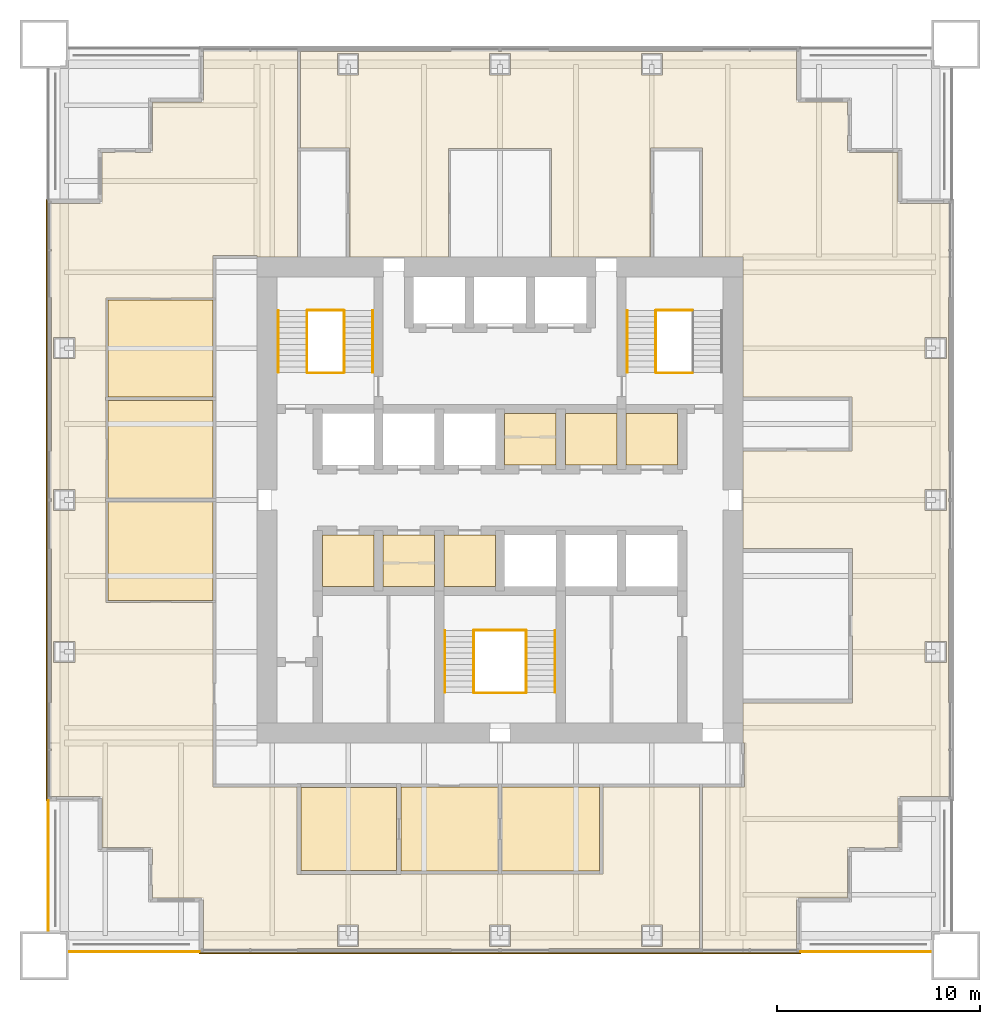
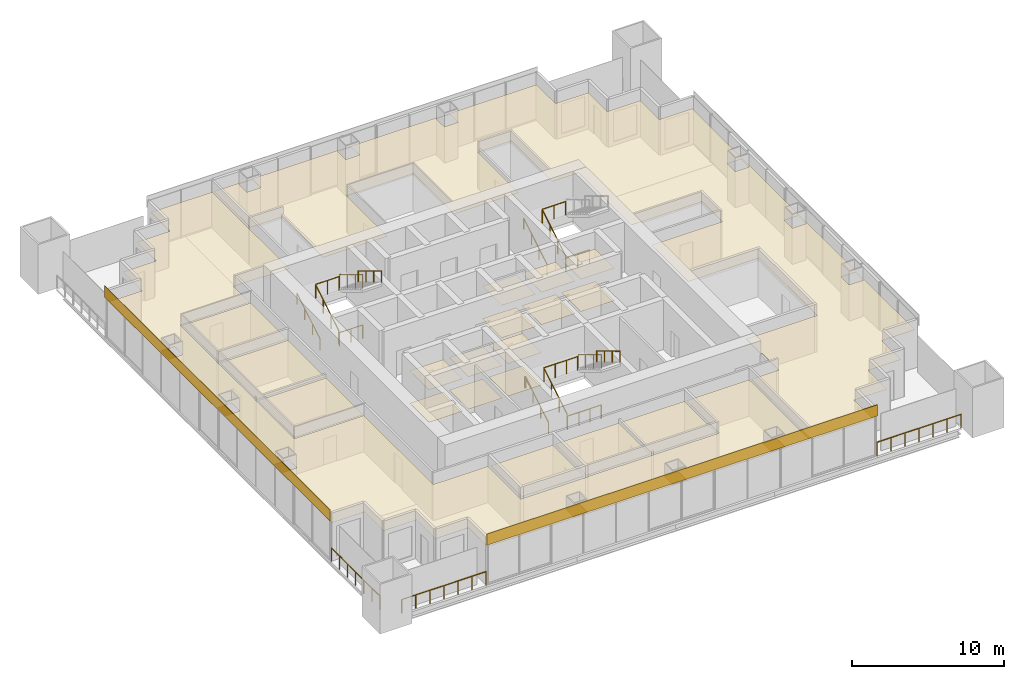
# One storey, part 12 of 13: 22 coverings, 19 railings.
"""IFC4 building model written with IfcOpenShell, lengths in metres."""

from ifc_helpers import new_model, si_unit, direction, frame, origin, origin_2d, place, context, subcontext, project, spatial, polyline, rectangle, circle, outline, extrude, material, layer, layer_set, type_object, element, save


model = new_model("IFC4")

# Units and contexts
model_context = context("Model", 3, precision=1e-05, world=origin(), true_north=direction((0.0, 1.0)))
body_context = subcontext(model_context, "Body", "Model", "MODEL_VIEW")
ifc_project = project(units=[si_unit("LENGTHUNIT", "METRE"), si_unit("AREAUNIT", "SQUARE_METRE"), si_unit("VOLUMEUNIT", "CUBIC_METRE"), si_unit("PLANEANGLEUNIT", "RADIAN"), si_unit("MASSUNIT", "GRAM", prefix="KILO")], contexts=[model_context])

# Site, building, storey
site_placement = place(None, origin())
site = spatial("IfcSite", under=ifc_project, at=site_placement, CompositionType="ELEMENT")
building_placement = place(site_placement, origin())
building = spatial("IfcBuilding", under=site, at=building_placement, Name="Tarangal Relay Tower", CompositionType="ELEMENT")
storey_placement = place(building_placement, frame((0.0, 0.0, 237.89990234375)))
storey = spatial("IfcBuildingStorey", under=building, at=storey_placement, Name="L51", CompositionType="ELEMENT", Elevation=237.89990234375)

# Coverings
ifc_material_1 = material(Name="Anti-static vinyl flooring", Category="plastic")
ifc_layer_1 = layer(ifc_material_1, 0.010009765625)
ifc_layer_set_1 = layer_set([ifc_layer_1], Name="Anti-static vinyl floor")
covering_type_1 = type_object("IfcCoveringType", Name="Anti-static vinyl floor", PredefinedType="FLOORING", material=ifc_layer_set_1)
covering_1_placement = place(storey_placement, origin())
element("IfcCovering", 1, at=covering_1_placement, inside=storey, type_object=covering_type_1, Name="Floor finish FL1 L51-T1", PredefinedType="FLOORING", context=body_context, shape_type="SweptSolid", body=[
    extrude(outline(polyline([(0.22509765625, 1.72509765625), (2.77490234375, 1.72509765625), (2.77490234375, 4.27490234375), (0.22509765625, 4.27490234375), (0.22509765625, 1.72509765625)])), origin(), (0.0, 0.0, 1.0), 0.010009765625),
])
covering_2_placement = place(storey_placement, origin())
element("IfcCovering", 2, at=covering_2_placement, inside=storey, type_object=covering_type_1, Name="Floor finish FL1 L51-T2", PredefinedType="FLOORING", context=body_context, shape_type="SweptSolid", body=[
    extrude(outline(polyline([(3.22509765625, 1.72509765625), (5.77490234375, 1.72509765625), (5.77490234375, 4.27490234375), (3.22509765625, 4.27490234375), (3.22509765625, 1.72509765625)])), origin(), (0.0, 0.0, 1.0), 0.010009765625),
])
covering_3_placement = place(storey_placement, origin())
element("IfcCovering", 3, at=covering_3_placement, inside=storey, type_object=covering_type_1, Name="Floor finish FL1 L51-T3", PredefinedType="FLOORING", context=body_context, shape_type="SweptSolid", body=[
    extrude(outline(polyline([(6.22509765625, 1.72509765625), (8.77490234375, 1.72509765625), (8.77490234375, 4.27490234375), (6.22509765625, 4.27490234375), (6.22509765625, 1.72509765625)])), origin(), (0.0, 0.0, 1.0), 0.010009765625),
])
covering_4_placement = place(storey_placement, origin())
element("IfcCovering", 4, at=covering_4_placement, inside=storey, type_object=covering_type_1, Name="Floor finish FL1 L51-S1", PredefinedType="FLOORING", context=body_context, shape_type="SweptSolid", body=[
    extrude(outline(polyline([(-8.77490234375, -4.27490234375), (-6.22509765625, -4.27490234375), (-6.22509765625, -1.72509765625), (-8.77490234375, -1.72509765625), (-8.77490234375, -4.27490234375)])), origin(), (0.0, 0.0, 1.0), 0.010009765625),
])
covering_5_placement = place(storey_placement, origin())
element("IfcCovering", 5, at=covering_5_placement, inside=storey, type_object=covering_type_1, Name="Floor finish FL1 L51-S2", PredefinedType="FLOORING", context=body_context, shape_type="SweptSolid", body=[
    extrude(outline(polyline([(-5.77490234375, -4.27490234375), (-3.22509765625, -4.27490234375), (-3.22509765625, -1.72509765625), (-5.77490234375, -1.72509765625), (-5.77490234375, -4.27490234375)])), origin(), (0.0, 0.0, 1.0), 0.010009765625),
])
covering_6_placement = place(storey_placement, origin())
element("IfcCovering", 6, at=covering_6_placement, inside=storey, type_object=covering_type_1, Name="Floor finish FL1 L51-S3", PredefinedType="FLOORING", context=body_context, shape_type="SweptSolid", body=[
    extrude(outline(polyline([(-2.77490234375, -4.27490234375), (-0.22509765625, -4.27490234375), (-0.22509765625, -1.72509765625), (-2.77490234375, -1.72509765625), (-2.77490234375, -4.27490234375)])), origin(), (0.0, 0.0, 1.0), 0.010009765625),
])
ifc_material_2 = material(Name="Black anodised aluminium cladding", Category="aluminium")
ifc_layer_2 = layer(ifc_material_2, 0.050048828125)
ifc_layer_set_2 = layer_set([ifc_layer_2], Name="Black metal spandrel band")
covering_type_2 = type_object("IfcCoveringType", Name="Black metal spandrel band", PredefinedType="CLADDING", material=ifc_layer_set_2)
for number, where, z_axis, x_axis, name in (
    (7, (0.0, -22.375, 3.250244140625), (0.0, 0.0, 1.0), (-1.0, 0.0, 0.0), "Spandrel band SB1 S L51"),
    (8, (-22.375, 0.0, 3.250244140625), (0.0, 0.0, 1.0), (0.0, 1.0, 0.0), "Spandrel band SB1 W L51"),
):
    element("IfcCovering", number, at=place(storey_placement, frame(where, z_axis=z_axis, x_axis=x_axis)), inside=storey, type_object=covering_type_2, Name=name, PredefinedType="CLADDING", context=body_context, shape_type="SweptSolid", body=[
        extrude(rectangle(XDim=29.699951171875, YDim=0.050048828125, at=origin_2d()), origin(), (0.0, 0.0, 1.0), 0.89990234375),
    ])

# Railings
ifc_material_3 = material(Name="Steel guard, black finish", Category="steel")
railing_type_1 = type_object("IfcRailingType", Name="Stair guard 1100", PredefinedType="GUARDRAIL", material=ifc_material_3)
railing_1_placement = place(storey_placement, frame((-9.530029296875, 6.300048828125, 0.166748046875)))
element("IfcRailing", 9, at=railing_1_placement, inside=storey, type_object=railing_type_1, Name="Stair ST-A guard GR1 L51 flight 1", PredefinedType="GUARDRAIL", context=body_context, shape_type="SweptSolid", body=[
    extrude(circle(Radius=0.02392578125, at=origin_2d()), frame((0.0, 0.0, 1.076171875), z_axis=(0.0, 0.85685617095, 0.515555527858), x_axis=(-1.0, 0.0, 0.0)), (0.0, 0.0, 1.0), 3.555908203125),
    extrude(circle(Radius=0.02099609375, at=origin_2d()), origin(), (0.0, 0.0, 1.0), 1.052001953125),
    extrude(circle(Radius=0.02099609375, at=origin_2d()), frame((0.0, 1.015625, 0.611083984375)), (0.0, 0.0, 1.0), 1.052001953125),
    extrude(circle(Radius=0.02099609375, at=origin_2d()), frame((0.0, 2.03125, 1.22216796875)), (0.0, 0.0, 1.0), 1.052001953125),
    extrude(circle(Radius=0.02099609375, at=origin_2d()), frame((0.0, 3.046875, 1.833251953125)), (0.0, 0.0, 1.0), 1.052001953125),
])
railing_2_placement = place(storey_placement, frame((-7.695068359375, 9.346923828125, 2.166748046875)))
element("IfcRailing", 10, at=railing_2_placement, inside=storey, type_object=railing_type_1, Name="Stair ST-A guard GR1 L51 flight 2", PredefinedType="GUARDRAIL", context=body_context, shape_type="SweptSolid", body=[
    extrude(circle(Radius=0.02392578125, at=origin_2d()), frame((0.0, 0.0, 1.076171875), z_axis=(0.0, -0.85685617095, 0.515555527858), x_axis=(1.0, 0.0, 0.0)), (0.0, 0.0, 1.0), 3.555908203125),
    extrude(circle(Radius=0.02099609375, at=origin_2d()), origin(), (0.0, 0.0, 1.0), 1.052001953125),
    extrude(circle(Radius=0.02099609375, at=origin_2d()), frame((0.0, -1.015625, 0.611083984375)), (0.0, 0.0, 1.0), 1.052001953125),
    extrude(circle(Radius=0.02099609375, at=origin_2d()), frame((0.0, -2.03125, 1.22216796875)), (0.0, 0.0, 1.0), 1.052001953125),
    extrude(circle(Radius=0.02099609375, at=origin_2d()), frame((0.0, -3.046875, 1.833251953125)), (0.0, 0.0, 1.0), 1.052001953125),
])
for number, where, name in (
    (11, (-9.5, 6.27001953125, 0.0), "Stair ST-A landing guard GR1 L51"),
    (12, (-9.5, 9.376953125, 2.0), "Stair ST-A landing guard GR1 L51"),
):
    element("IfcRailing", number, at=place(storey_placement, frame(where)), inside=storey, type_object=railing_type_1, Name=name, PredefinedType="GUARDRAIL", context=body_context, shape_type="SweptSolid", body=[
        extrude(circle(Radius=0.02392578125, at=origin_2d()), frame((0.0, 0.0, 1.076171875), z_axis=(1.0, 0.0, 0.0), x_axis=(0.0, 1.0, 0.0)), (0.0, 0.0, 1.0), 1.77490234375),
        extrude(circle(Radius=0.02099609375, at=origin_2d()), origin(), (0.0, 0.0, 1.0), 1.052001953125),
        extrude(circle(Radius=0.02099609375, at=origin_2d()), frame((0.887451171875, 0.0, 0.0)), (0.0, 0.0, 1.0), 1.052001953125),
        extrude(circle(Radius=0.02099609375, at=origin_2d()), frame((1.77490234375, 0.0, 0.0)), (0.0, 0.0, 1.0), 1.052001953125),
    ])
railing_3_placement = place(storey_placement, frame((7.695068359375, 6.300048828125, 0.166748046875)))
element("IfcRailing", 13, at=railing_3_placement, inside=storey, type_object=railing_type_1, Name="Stair ST-B guard GR1 L51 flight 1", PredefinedType="GUARDRAIL", context=body_context, shape_type="SweptSolid", body=[
    extrude(circle(Radius=0.02392578125, at=origin_2d()), frame((0.0, 0.0, 1.076171875), z_axis=(0.0, 0.85685617095, 0.515555527858), x_axis=(-1.0, 0.0, 0.0)), (0.0, 0.0, 1.0), 3.555908203125),
    extrude(circle(Radius=0.02099609375, at=origin_2d()), origin(), (0.0, 0.0, 1.0), 1.052001953125),
    extrude(circle(Radius=0.02099609375, at=origin_2d()), frame((0.0, 1.015625, 0.611083984375)), (0.0, 0.0, 1.0), 1.052001953125),
    extrude(circle(Radius=0.02099609375, at=origin_2d()), frame((0.0, 2.03125, 1.22216796875)), (0.0, 0.0, 1.0), 1.052001953125),
    extrude(circle(Radius=0.02099609375, at=origin_2d()), frame((0.0, 3.046875, 1.833251953125)), (0.0, 0.0, 1.0), 1.052001953125),
])
for number, where, name in (
    (14, (7.72509765625, 6.27001953125, 0.0), "Stair ST-B landing guard GR1 L51"),
    (15, (7.72509765625, 9.376953125, 2.0), "Stair ST-B landing guard GR1 L51"),
):
    element("IfcRailing", number, at=place(storey_placement, frame(where)), inside=storey, type_object=railing_type_1, Name=name, PredefinedType="GUARDRAIL", context=body_context, shape_type="SweptSolid", body=[
        extrude(circle(Radius=0.02392578125, at=origin_2d()), frame((0.0, 0.0, 1.076171875), z_axis=(1.0, 0.0, 0.0), x_axis=(0.0, 1.0, 0.0)), (0.0, 0.0, 1.0), 1.77490234375),
        extrude(circle(Radius=0.02099609375, at=origin_2d()), origin(), (0.0, 0.0, 1.0), 1.052001953125),
        extrude(circle(Radius=0.02099609375, at=origin_2d()), frame((0.887451171875, 0.0, 0.0)), (0.0, 0.0, 1.0), 1.052001953125),
        extrude(circle(Radius=0.02099609375, at=origin_2d()), frame((1.77490234375, 0.0, 0.0)), (0.0, 0.0, 1.0), 1.052001953125),
    ])
railing_4_placement = place(storey_placement, frame((-1.304931640625, -9.5, 0.166748046875)))
element("IfcRailing", 16, at=railing_4_placement, inside=storey, type_object=railing_type_1, Name="Stair ST-C guard GR1 L51 flight 1", PredefinedType="GUARDRAIL", context=body_context, shape_type="SweptSolid", body=[
    extrude(circle(Radius=0.02392578125, at=origin_2d()), frame((0.0, 0.0, 1.076171875), z_axis=(0.0, 0.856874418557, 0.515525199018), x_axis=(-1.0, 0.0, 0.0)), (0.0, 0.0, 1.0), 3.55615234375),
    extrude(circle(Radius=0.02099609375, at=origin_2d()), origin(), (0.0, 0.0, 1.0), 1.052001953125),
    extrude(circle(Radius=0.02099609375, at=origin_2d()), frame((0.0, 1.015625, 0.611083984375)), (0.0, 0.0, 1.0), 1.052001953125),
    extrude(circle(Radius=0.02099609375, at=origin_2d()), frame((0.0, 2.031494140625, 1.22216796875)), (0.0, 0.0, 1.0), 1.052001953125),
    extrude(circle(Radius=0.02099609375, at=origin_2d()), frame((0.0, 3.047119140625, 1.833251953125)), (0.0, 0.0, 1.0), 1.052001953125),
])
railing_5_placement = place(storey_placement, frame((1.304931640625, -6.452880859375, 2.166748046875)))
element("IfcRailing", 17, at=railing_5_placement, inside=storey, type_object=railing_type_1, Name="Stair ST-C guard GR1 L51 flight 2", PredefinedType="GUARDRAIL", context=body_context, shape_type="SweptSolid", body=[
    extrude(circle(Radius=0.02392578125, at=origin_2d()), frame((0.0, 0.0, 1.076171875), z_axis=(0.0, -0.856874418557, 0.515525199018), x_axis=(1.0, 0.0, 0.0)), (0.0, 0.0, 1.0), 3.55615234375),
    extrude(circle(Radius=0.02099609375, at=origin_2d()), origin(), (0.0, 0.0, 1.0), 1.052001953125),
    extrude(circle(Radius=0.02099609375, at=origin_2d()), frame((0.0, -1.015625, 0.611083984375)), (0.0, 0.0, 1.0), 1.052001953125),
    extrude(circle(Radius=0.02099609375, at=origin_2d()), frame((0.0, -2.031494140625, 1.22216796875)), (0.0, 0.0, 1.0), 1.052001953125),
    extrude(circle(Radius=0.02099609375, at=origin_2d()), frame((0.0, -3.047119140625, 1.833251953125)), (0.0, 0.0, 1.0), 1.052001953125),
])
for number, where, name in (
    (18, (-1.27490234375, -9.530029296875, 0.0), "Stair ST-C landing guard GR1 L51"),
    (19, (-1.27490234375, -6.423095703125, 2.0), "Stair ST-C landing guard GR1 L51"),
):
    element("IfcRailing", number, at=place(storey_placement, frame(where)), inside=storey, type_object=railing_type_1, Name=name, PredefinedType="GUARDRAIL", context=body_context, shape_type="SweptSolid", body=[
        extrude(circle(Radius=0.02392578125, at=origin_2d()), frame((0.0, 0.0, 1.076171875), z_axis=(1.0, 0.0, 0.0), x_axis=(0.0, 1.0, 0.0)), (0.0, 0.0, 1.0), 2.5498046875),
        extrude(circle(Radius=0.02099609375, at=origin_2d()), origin(), (0.0, 0.0, 1.0), 1.052001953125),
        extrude(circle(Radius=0.02099609375, at=origin_2d()), frame((0.849853515625, 0.0, 0.0)), (0.0, 0.0, 1.0), 1.052001953125),
        extrude(circle(Radius=0.02099609375, at=origin_2d()), frame((1.699951171875, 0.0, 0.0)), (0.0, 0.0, 1.0), 1.052001953125),
        extrude(circle(Radius=0.02099609375, at=origin_2d()), frame((2.5498046875, 0.0, 0.0)), (0.0, 0.0, 1.0), 1.052001953125),
    ])
ifc_material_4 = material(Name="Steel handrail, black finish", Category="steel")
railing_type_2 = type_object("IfcRailingType", Name="Stair handrail 900", PredefinedType="HANDRAIL", material=ifc_material_4)
railing_6_placement = place(storey_placement, frame((-10.93994140625, 6.300048828125, 0.166748046875)))
element("IfcRailing", 20, at=railing_6_placement, inside=storey, type_object=railing_type_2, Name="Stair ST-A handrail HR1 L51 flight 1", PredefinedType="HANDRAIL", context=body_context, shape_type="SweptSolid", body=[
    extrude(circle(Radius=0.02392578125, at=origin_2d()), frame((0.0, 0.0, 0.8759765625), z_axis=(0.0, 0.85685617095, 0.515555527858), x_axis=(-1.0, 0.0, 0.0)), (0.0, 0.0, 1.0), 3.555908203125),
    extrude(circle(Radius=0.02099609375, at=origin_2d()), origin(), (0.0, 0.0, 1.0), 0.851806640625),
    extrude(circle(Radius=0.02099609375, at=origin_2d()), frame((0.0, 1.015625, 0.611083984375)), (0.0, 0.0, 1.0), 0.851806640625),
    extrude(circle(Radius=0.02099609375, at=origin_2d()), frame((0.0, 2.03125, 1.22216796875)), (0.0, 0.0, 1.0), 0.851806640625),
    extrude(circle(Radius=0.02099609375, at=origin_2d()), frame((0.0, 3.046875, 1.833251953125)), (0.0, 0.0, 1.0), 0.851806640625),
])
railing_7_placement = place(storey_placement, frame((-6.284912109375, 9.346923828125, 2.166748046875)))
element("IfcRailing", 21, at=railing_7_placement, inside=storey, type_object=railing_type_2, Name="Stair ST-A handrail HR1 L51 flight 2", PredefinedType="HANDRAIL", context=body_context, shape_type="SweptSolid", body=[
    extrude(circle(Radius=0.02392578125, at=origin_2d()), frame((0.0, 0.0, 0.8759765625), z_axis=(0.0, -0.85685617095, 0.515555527858), x_axis=(1.0, 0.0, 0.0)), (0.0, 0.0, 1.0), 3.555908203125),
    extrude(circle(Radius=0.02099609375, at=origin_2d()), origin(), (0.0, 0.0, 1.0), 0.851806640625),
    extrude(circle(Radius=0.02099609375, at=origin_2d()), frame((0.0, -1.015625, 0.611083984375)), (0.0, 0.0, 1.0), 0.851806640625),
    extrude(circle(Radius=0.02099609375, at=origin_2d()), frame((0.0, -2.03125, 1.22216796875)), (0.0, 0.0, 1.0), 0.851806640625),
    extrude(circle(Radius=0.02099609375, at=origin_2d()), frame((0.0, -3.046875, 1.833251953125)), (0.0, 0.0, 1.0), 0.851806640625),
])
railing_8_placement = place(storey_placement, frame((6.284912109375, 6.300048828125, 0.166748046875)))
element("IfcRailing", 22, at=railing_8_placement, inside=storey, type_object=railing_type_2, Name="Stair ST-B handrail HR1 L51 flight 1", PredefinedType="HANDRAIL", context=body_context, shape_type="SweptSolid", body=[
    extrude(circle(Radius=0.02392578125, at=origin_2d()), frame((0.0, 0.0, 0.8759765625), z_axis=(0.0, 0.85685617095, 0.515555527858), x_axis=(-1.0, 0.0, 0.0)), (0.0, 0.0, 1.0), 3.555908203125),
    extrude(circle(Radius=0.02099609375, at=origin_2d()), origin(), (0.0, 0.0, 1.0), 0.851806640625),
    extrude(circle(Radius=0.02099609375, at=origin_2d()), frame((0.0, 1.015625, 0.611083984375)), (0.0, 0.0, 1.0), 0.851806640625),
    extrude(circle(Radius=0.02099609375, at=origin_2d()), frame((0.0, 2.03125, 1.22216796875)), (0.0, 0.0, 1.0), 0.851806640625),
    extrude(circle(Radius=0.02099609375, at=origin_2d()), frame((0.0, 3.046875, 1.833251953125)), (0.0, 0.0, 1.0), 0.851806640625),
])
railing_9_placement = place(storey_placement, frame((-2.715087890625, -9.5, 0.166748046875)))
element("IfcRailing", 23, at=railing_9_placement, inside=storey, type_object=railing_type_2, Name="Stair ST-C handrail HR1 L51 flight 1", PredefinedType="HANDRAIL", context=body_context, shape_type="SweptSolid", body=[
    extrude(circle(Radius=0.02392578125, at=origin_2d()), frame((0.0, 0.0, 0.8759765625), z_axis=(0.0, 0.856874418557, 0.515525199018), x_axis=(-1.0, 0.0, 0.0)), (0.0, 0.0, 1.0), 3.55615234375),
    extrude(circle(Radius=0.02099609375, at=origin_2d()), origin(), (0.0, 0.0, 1.0), 0.851806640625),
    extrude(circle(Radius=0.02099609375, at=origin_2d()), frame((0.0, 1.015625, 0.611083984375)), (0.0, 0.0, 1.0), 0.851806640625),
    extrude(circle(Radius=0.02099609375, at=origin_2d()), frame((0.0, 2.031494140625, 1.22216796875)), (0.0, 0.0, 1.0), 0.851806640625),
    extrude(circle(Radius=0.02099609375, at=origin_2d()), frame((0.0, 3.047119140625, 1.833251953125)), (0.0, 0.0, 1.0), 0.851806640625),
])
railing_10_placement = place(storey_placement, frame((2.715087890625, -6.452880859375, 2.166748046875)))
element("IfcRailing", 24, at=railing_10_placement, inside=storey, type_object=railing_type_2, Name="Stair ST-C handrail HR1 L51 flight 2", PredefinedType="HANDRAIL", context=body_context, shape_type="SweptSolid", body=[
    extrude(circle(Radius=0.02392578125, at=origin_2d()), frame((0.0, 0.0, 0.8759765625), z_axis=(0.0, -0.856874418557, 0.515525199018), x_axis=(1.0, 0.0, 0.0)), (0.0, 0.0, 1.0), 3.55615234375),
    extrude(circle(Radius=0.02099609375, at=origin_2d()), origin(), (0.0, 0.0, 1.0), 0.851806640625),
    extrude(circle(Radius=0.02099609375, at=origin_2d()), frame((0.0, -1.015625, 0.611083984375)), (0.0, 0.0, 1.0), 0.851806640625),
    extrude(circle(Radius=0.02099609375, at=origin_2d()), frame((0.0, -2.031494140625, 1.22216796875)), (0.0, 0.0, 1.0), 0.851806640625),
    extrude(circle(Radius=0.02099609375, at=origin_2d()), frame((0.0, -3.047119140625, 1.833251953125)), (0.0, 0.0, 1.0), 0.851806640625),
])

# Coverings
ifc_material_5 = material(Name="Mineral fibre ceiling tiles", Category="gypsum")
ifc_layer_3 = layer(ifc_material_5, 0.02001953125)
ifc_layer_set_3 = layer_set([ifc_layer_3], Name="Suspended ceiling")
covering_type_3 = type_object("IfcCoveringType", Name="Suspended ceiling", PredefinedType="CEILING", material=ifc_layer_set_3)
covering_7_placement = place(storey_placement, frame((0.0, 0.0, 2.60009765625)))
element("IfcCovering", 25, at=covering_7_placement, inside=storey, type_object=covering_type_3, Name="Suspended ceiling CL1 L51-T1", PredefinedType="CEILING", context=body_context, shape_type="SweptSolid", body=[
    extrude(outline(polyline([(0.22509765625, 1.72509765625), (2.77490234375, 1.72509765625), (2.77490234375, 4.27490234375), (0.22509765625, 4.27490234375), (0.22509765625, 1.72509765625)])), origin(), (0.0, 0.0, 1.0), 0.02001953125),
])
covering_8_placement = place(storey_placement, frame((0.0, 0.0, 2.60009765625)))
element("IfcCovering", 26, at=covering_8_placement, inside=storey, type_object=covering_type_3, Name="Suspended ceiling CL1 L51-T2", PredefinedType="CEILING", context=body_context, shape_type="SweptSolid", body=[
    extrude(outline(polyline([(3.22509765625, 1.72509765625), (5.77490234375, 1.72509765625), (5.77490234375, 4.27490234375), (3.22509765625, 4.27490234375), (3.22509765625, 1.72509765625)])), origin(), (0.0, 0.0, 1.0), 0.02001953125),
])
covering_9_placement = place(storey_placement, frame((0.0, 0.0, 2.60009765625)))
element("IfcCovering", 27, at=covering_9_placement, inside=storey, type_object=covering_type_3, Name="Suspended ceiling CL1 L51-T3", PredefinedType="CEILING", context=body_context, shape_type="SweptSolid", body=[
    extrude(outline(polyline([(6.22509765625, 1.72509765625), (8.77490234375, 1.72509765625), (8.77490234375, 4.27490234375), (6.22509765625, 4.27490234375), (6.22509765625, 1.72509765625)])), origin(), (0.0, 0.0, 1.0), 0.02001953125),
])
covering_10_placement = place(storey_placement, frame((0.0, 0.0, 2.60009765625)))
element("IfcCovering", 28, at=covering_10_placement, inside=storey, type_object=covering_type_3, Name="Suspended ceiling CL1 L51-S1", PredefinedType="CEILING", context=body_context, shape_type="SweptSolid", body=[
    extrude(outline(polyline([(-8.77490234375, -4.27490234375), (-6.22509765625, -4.27490234375), (-6.22509765625, -1.72509765625), (-8.77490234375, -1.72509765625), (-8.77490234375, -4.27490234375)])), origin(), (0.0, 0.0, 1.0), 0.02001953125),
])
covering_11_placement = place(storey_placement, frame((0.0, 0.0, 2.60009765625)))
element("IfcCovering", 29, at=covering_11_placement, inside=storey, type_object=covering_type_3, Name="Suspended ceiling CL1 L51-S2", PredefinedType="CEILING", context=body_context, shape_type="SweptSolid", body=[
    extrude(outline(polyline([(-5.77490234375, -4.27490234375), (-3.22509765625, -4.27490234375), (-3.22509765625, -1.72509765625), (-5.77490234375, -1.72509765625), (-5.77490234375, -4.27490234375)])), origin(), (0.0, 0.0, 1.0), 0.02001953125),
])
covering_12_placement = place(storey_placement, frame((0.0, 0.0, 2.60009765625)))
element("IfcCovering", 30, at=covering_12_placement, inside=storey, type_object=covering_type_3, Name="Suspended ceiling CL1 L51-S3", PredefinedType="CEILING", context=body_context, shape_type="SweptSolid", body=[
    extrude(outline(polyline([(-2.77490234375, -4.27490234375), (-0.22509765625, -4.27490234375), (-0.22509765625, -1.72509765625), (-2.77490234375, -1.72509765625), (-2.77490234375, -4.27490234375)])), origin(), (0.0, 0.0, 1.0), 0.02001953125),
])
covering_13_placement = place(storey_placement, frame((0.0, 0.0, 2.900146484375)))
element("IfcCovering", 31, at=covering_13_placement, inside=storey, type_object=covering_type_3, Name="Suspended ceiling CL1 L51-07", PredefinedType="CEILING", context=body_context, shape_type="SweptSolid", body=[
    extrude(outline(polyline([(4.925048828125, -14.175048828125), (0.074951171875, -14.175048828125), (0.074951171875, -18.324951171875), (4.925048828125, -18.324951171875), (4.925048828125, -14.175048828125)])), origin(), (0.0, 0.0, 1.0), 0.02001953125),
])
covering_14_placement = place(storey_placement, frame((0.0, 0.0, 2.900146484375)))
element("IfcCovering", 32, at=covering_14_placement, inside=storey, type_object=covering_type_3, Name="Suspended ceiling CL1 L51-08", PredefinedType="CEILING", context=body_context, shape_type="SweptSolid", body=[
    extrude(outline(polyline([(-4.89990234375, -18.324951171875), (-0.074951171875, -18.324951171875), (-0.074951171875, -14.175048828125), (-4.89990234375, -14.175048828125), (-4.89990234375, -18.324951171875)])), origin(), (0.0, 0.0, 1.0), 0.02001953125),
])
covering_15_placement = place(storey_placement, frame((0.0, 0.0, 2.900146484375)))
element("IfcCovering", 33, at=covering_15_placement, inside=storey, type_object=covering_type_3, Name="Suspended ceiling CL1 L51-09", PredefinedType="CEILING", context=body_context, shape_type="SweptSolid", body=[
    extrude(outline(polyline([(-5.10009765625, -14.199951171875), (-9.81689453125, -14.199951171875), (-9.81689453125, -18.300048828125), (-5.10009765625, -18.300048828125), (-5.10009765625, -14.199951171875)])), origin(), (0.0, 0.0, 1.0), 0.02001953125),
])
covering_16_placement = place(storey_placement, frame((0.0, 0.0, 2.900146484375)))
element("IfcCovering", 34, at=covering_16_placement, inside=storey, type_object=covering_type_3, Name="Suspended ceiling CL1 L51-10", PredefinedType="CEILING", context=body_context, shape_type="SweptSolid", body=[
    extrude(outline(polyline([(-14.175048828125, -0.074951171875), (-19.35009765625, -0.074951171875), (-19.35009765625, -4.949951171875), (-14.175048828125, -4.949951171875), (-14.175048828125, -0.074951171875)])), origin(), (0.0, 0.0, 1.0), 0.02001953125),
])
covering_17_placement = place(storey_placement, frame((0.0, 0.0, 2.900146484375)))
element("IfcCovering", 35, at=covering_17_placement, inside=storey, type_object=covering_type_3, Name="Suspended ceiling CL1 L51-11", PredefinedType="CEILING", context=body_context, shape_type="SweptSolid", body=[
    extrude(outline(polyline([(-14.175048828125, 4.925048828125), (-19.35009765625, 4.925048828125), (-19.35009765625, 0.074951171875), (-14.175048828125, 0.074951171875), (-14.175048828125, 4.925048828125)])), origin(), (0.0, 0.0, 1.0), 0.02001953125),
])
covering_18_placement = place(storey_placement, frame((0.0, 0.0, 2.900146484375)))
element("IfcCovering", 36, at=covering_18_placement, inside=storey, type_object=covering_type_3, Name="Suspended ceiling CL1 L51-12", PredefinedType="CEILING", context=body_context, shape_type="SweptSolid", body=[
    extrude(outline(polyline([(-19.35009765625, 9.866943359375), (-19.35009765625, 5.074951171875), (-14.175048828125, 5.074951171875), (-14.175048828125, 9.866943359375), (-19.35009765625, 9.866943359375)])), origin(), (0.0, 0.0, 1.0), 0.02001953125),
])
covering_19_placement = place(storey_placement, frame((0.0, 0.0, 2.900146484375)))
element("IfcCovering", 37, at=covering_19_placement, inside=storey, type_object=covering_type_3, Name="Suspended ceiling CL1 L51-13", PredefinedType="CEILING", context=body_context, shape_type="SweptSolid", body=[
    extrude(outline(polyline([(7.425048828125, 12.0), (7.425048828125, 17.375), (9.991943359375, 17.375), (9.991943359375, 12.0), (12.0, 12.0), (12.0, 5.074951171875), (17.375, 5.074951171875), (17.375, 2.425048828125), (12.0, 2.425048828125), (12.0, -2.39990234375), (17.39990234375, -2.39990234375), (17.39990234375, -10.01708984375), (12.0, -10.01708984375), (12.0, -12.0), (12.074951171875, -12.0), (12.074951171875, -14.175048828125), (9.991943359375, -14.175048828125), (9.991943359375, -22.14990234375), (14.64990234375, -22.14990234375), (14.64990234375, -19.64990234375), (17.14990234375, -19.64990234375), (17.14990234375, -17.14990234375), (19.64990234375, -17.14990234375), (19.64990234375, -14.64990234375), (22.14990234375, -14.64990234375), (22.14990234375, 14.64990234375), (19.64990234375, 14.64990234375), (19.64990234375, 17.14990234375), (17.14990234375, 17.14990234375), (17.14990234375, 19.64990234375), (14.64990234375, 19.64990234375), (14.64990234375, 22.14990234375), (-9.842041015625, 22.14990234375), (-9.842041015625, 17.375), (-7.425048828125, 17.375), (-7.425048828125, 12.0), (-2.550048828125, 12.0), (-2.550048828125, 17.35009765625), (2.550048828125, 17.35009765625), (2.550048828125, 12.0), (7.425048828125, 12.0)]), holes=[polyline([(20.989990234375, -8.02490234375), (22.0400390625, -8.02490234375), (22.0400390625, -6.97509765625), (20.989990234375, -6.97509765625), (20.989990234375, -8.02490234375)]), polyline([(20.989990234375, 0.52490234375), (20.989990234375, -0.52490234375), (22.0400390625, -0.52490234375), (22.0400390625, 0.52490234375), (20.989990234375, 0.52490234375)]), polyline([(20.989990234375, 8.02490234375), (20.989990234375, 6.97509765625), (22.0400390625, 6.97509765625), (22.0400390625, 8.02490234375), (20.989990234375, 8.02490234375)]), polyline([(-8.02490234375, 20.989990234375), (-6.97509765625, 20.989990234375), (-6.97509765625, 22.0400390625), (-8.02490234375, 22.0400390625), (-8.02490234375, 20.989990234375)]), polyline([(-0.52490234375, 22.0400390625), (-0.52490234375, 20.989990234375), (0.52490234375, 20.989990234375), (0.52490234375, 22.0400390625), (-0.52490234375, 22.0400390625)]), polyline([(6.97509765625, 22.0400390625), (6.97509765625, 20.989990234375), (8.02490234375, 20.989990234375), (8.02490234375, 22.0400390625), (6.97509765625, 22.0400390625)])]), origin(), (0.0, 0.0, 1.0), 0.02001953125),
])
covering_20_placement = place(storey_placement, frame((0.0, 0.0, 2.900146484375)))
element("IfcCovering", 38, at=covering_20_placement, inside=storey, type_object=covering_type_3, Name="Suspended ceiling CL1 L51-14", PredefinedType="CEILING", context=body_context, shape_type="SweptSolid", body=[
    extrude(outline(polyline([(-14.64990234375, -22.14990234375), (9.842041015625, -22.14990234375), (9.842041015625, -14.175048828125), (5.074951171875, -14.175048828125), (5.074951171875, -18.47509765625), (-4.89990234375, -18.47509765625), (-4.89990234375, -18.5), (-10.01708984375, -18.5), (-10.01708984375, -14.175048828125), (-14.175048828125, -14.175048828125), (-14.175048828125, -5.050048828125), (-19.449951171875, -5.050048828125), (-19.449951171875, -0.074951171875), (-19.47509765625, -0.074951171875), (-19.47509765625, 0.074951171875), (-19.449951171875, 0.074951171875), (-19.449951171875, 4.925048828125), (-19.47509765625, 4.925048828125), (-19.47509765625, 5.074951171875), (-19.449951171875, 5.074951171875), (-19.449951171875, 9.967041015625), (-14.175048828125, 9.967041015625), (-14.175048828125, 12.074951171875), (-12.0, 12.074951171875), (-12.0, 12.0), (-9.991943359375, 12.0), (-9.991943359375, 22.14990234375), (-14.64990234375, 22.14990234375), (-14.64990234375, 19.64990234375), (-17.14990234375, 19.64990234375), (-17.14990234375, 17.14990234375), (-19.64990234375, 17.14990234375), (-19.64990234375, 14.64990234375), (-22.14990234375, 14.64990234375), (-22.14990234375, -14.64990234375), (-19.64990234375, -14.64990234375), (-19.64990234375, -17.14990234375), (-17.14990234375, -17.14990234375), (-17.14990234375, -19.64990234375), (-14.64990234375, -19.64990234375), (-14.64990234375, -22.14990234375)]), holes=[polyline([(-8.02490234375, -22.0400390625), (-6.97509765625, -22.0400390625), (-6.97509765625, -20.989990234375), (-8.02490234375, -20.989990234375), (-8.02490234375, -22.0400390625)]), polyline([(-0.52490234375, -20.989990234375), (-0.52490234375, -22.0400390625), (0.52490234375, -22.0400390625), (0.52490234375, -20.989990234375), (-0.52490234375, -20.989990234375)]), polyline([(6.97509765625, -20.989990234375), (6.97509765625, -22.0400390625), (8.02490234375, -22.0400390625), (8.02490234375, -20.989990234375), (6.97509765625, -20.989990234375)]), polyline([(-22.0400390625, -8.02490234375), (-20.989990234375, -8.02490234375), (-20.989990234375, -6.97509765625), (-22.0400390625, -6.97509765625), (-22.0400390625, -8.02490234375)]), polyline([(-22.0400390625, 0.52490234375), (-22.0400390625, -0.52490234375), (-20.989990234375, -0.52490234375), (-20.989990234375, 0.52490234375), (-22.0400390625, 0.52490234375)]), polyline([(-22.0400390625, 8.02490234375), (-22.0400390625, 6.97509765625), (-20.989990234375, 6.97509765625), (-20.989990234375, 8.02490234375), (-22.0400390625, 8.02490234375)])]), origin(), (0.0, 0.0, 1.0), 0.02001953125),
])

# Railings
ifc_material_6 = material(Name="Black steel guard with glass infill", Category="steel")
railing_type_3 = type_object("IfcRailingType", Name="Terrace guard 1100", PredefinedType="GUARDRAIL", material=ifc_material_6)
for number, where, name in (
    (39, (21.25, -22.300048828125, 0.0), "Terrace guard GR2 SE L51"),
    (40, (-14.85009765625, -22.300048828125, 0.0), "Terrace guard GR2 SW L51"),
):
    element("IfcRailing", number, at=place(storey_placement, frame(where)), inside=storey, type_object=railing_type_3, Name=name, PredefinedType="GUARDRAIL", context=body_context, shape_type="SweptSolid", body=[
        extrude(circle(Radius=0.02392578125, at=origin_2d()), frame((0.0, 0.0, 1.076171875), z_axis=(-1.0, 0.0, 0.0), x_axis=(0.0, -1.0, 0.0)), (0.0, 0.0, 1.0), 6.39990234375),
        extrude(circle(Radius=0.02099609375, at=origin_2d()), origin(), (0.0, 0.0, 1.0), 1.052001953125),
        extrude(circle(Radius=0.02099609375, at=origin_2d()), frame((-1.066650390625, 0.0, 0.0)), (0.0, 0.0, 1.0), 1.052001953125),
        extrude(circle(Radius=0.02099609375, at=origin_2d()), frame((-2.13330078125, 0.0, 0.0)), (0.0, 0.0, 1.0), 1.052001953125),
        extrude(circle(Radius=0.02099609375, at=origin_2d()), frame((-3.199951171875, 0.0, 0.0)), (0.0, 0.0, 1.0), 1.052001953125),
        extrude(circle(Radius=0.02099609375, at=origin_2d()), frame((-4.2666015625, 0.0, 0.0)), (0.0, 0.0, 1.0), 1.052001953125),
        extrude(circle(Radius=0.02099609375, at=origin_2d()), frame((-5.333251953125, 0.0, 0.0)), (0.0, 0.0, 1.0), 1.052001953125),
        extrude(circle(Radius=0.02099609375, at=origin_2d()), frame((-6.39990234375, 0.0, 0.0)), (0.0, 0.0, 1.0), 1.052001953125),
    ])
railing_11_placement = place(storey_placement, frame((-22.300048828125, -21.25, 0.0)))
element("IfcRailing", 41, at=railing_11_placement, inside=storey, type_object=railing_type_3, Name="Terrace guard GR2 SW L51", PredefinedType="GUARDRAIL", context=body_context, shape_type="SweptSolid", body=[
    extrude(circle(Radius=0.02392578125, at=origin_2d()), frame((0.0, 0.0, 1.076171875), z_axis=(0.0, 1.0, 0.0), x_axis=(-1.0, 0.0, 0.0)), (0.0, 0.0, 1.0), 6.39990234375),
    extrude(circle(Radius=0.02099609375, at=origin_2d()), origin(), (0.0, 0.0, 1.0), 1.052001953125),
    extrude(circle(Radius=0.02099609375, at=origin_2d()), frame((0.0, 1.066650390625, 0.0)), (0.0, 0.0, 1.0), 1.052001953125),
    extrude(circle(Radius=0.02099609375, at=origin_2d()), frame((0.0, 2.13330078125, 0.0)), (0.0, 0.0, 1.0), 1.052001953125),
    extrude(circle(Radius=0.02099609375, at=origin_2d()), frame((0.0, 3.199951171875, 0.0)), (0.0, 0.0, 1.0), 1.052001953125),
    extrude(circle(Radius=0.02099609375, at=origin_2d()), frame((0.0, 4.2666015625, 0.0)), (0.0, 0.0, 1.0), 1.052001953125),
    extrude(circle(Radius=0.02099609375, at=origin_2d()), frame((0.0, 5.333251953125, 0.0)), (0.0, 0.0, 1.0), 1.052001953125),
    extrude(circle(Radius=0.02099609375, at=origin_2d()), frame((0.0, 6.39990234375, 0.0)), (0.0, 0.0, 1.0), 1.052001953125),
])

save(model, "model.ifc")
